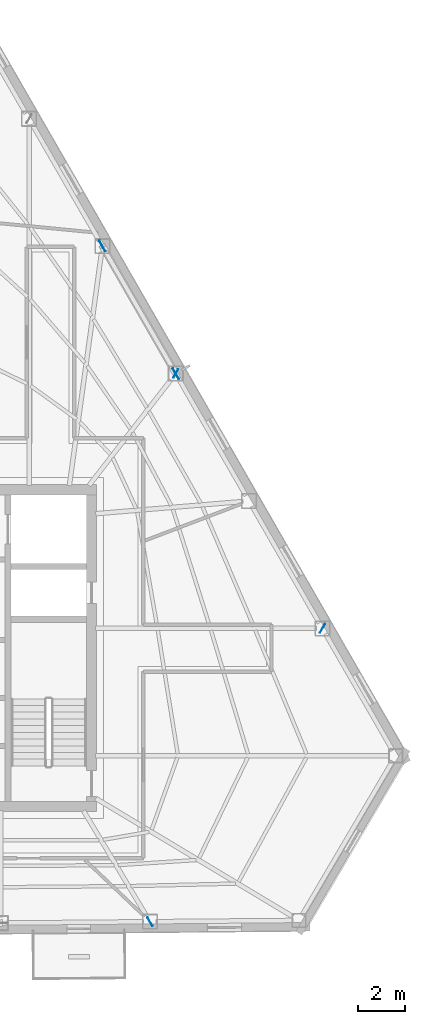
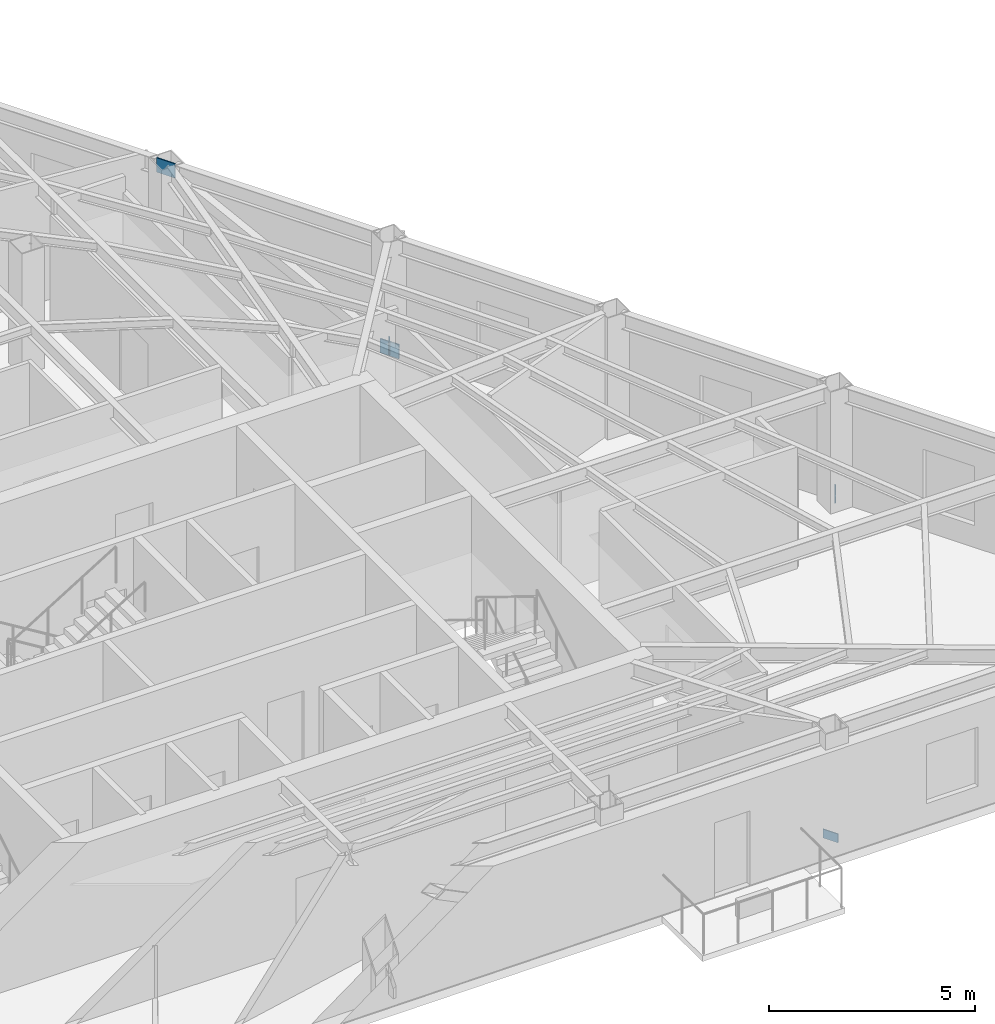
# One storey, part 6 of 14: 5 plates.
"""IFC4 building model written with IfcOpenShell, lengths in metres."""

from ifc_helpers import new_model, si_unit, direction, frame, origin, origin_2d, place, context, subcontext, project, spatial, rectangle, extrude, material, layer, layer_set, type_object, element, save


model = new_model("IFC4")

# Units and contexts
model_context = context("Model", 3, precision=1e-05, world=origin(), true_north=direction((0.0, 1.0)))
body_context = subcontext(model_context, "Body", "Model", "MODEL_VIEW")
ifc_project = project(units=[si_unit("LENGTHUNIT", "METRE"), si_unit("AREAUNIT", "SQUARE_METRE"), si_unit("VOLUMEUNIT", "CUBIC_METRE"), si_unit("PLANEANGLEUNIT", "RADIAN"), si_unit("MASSUNIT", "GRAM", prefix="KILO")], contexts=[model_context])

# Site, building, storey
site_placement = place(None, origin())
site = spatial("IfcSite", under=ifc_project, at=site_placement, CompositionType="ELEMENT")
building_placement = place(site_placement, origin())
building = spatial("IfcBuilding", under=site, at=building_placement, Name="Kavelnor Concourse Tower", CompositionType="ELEMENT")
storey_placement = place(building_placement, frame((0.0, 0.0, 215.050048828125)))
storey = spatial("IfcBuildingStorey", under=building, at=storey_placement, Name="L54", CompositionType="ELEMENT", Elevation=215.050048828125)

# Plates
ifc_material = material(Name="Steel Grade 350", Category="steel")
ifc_layer_1 = layer(ifc_material, 0.031982421875, Name="Steel Grade 350")
ifc_layer_set_1 = layer_set([ifc_layer_1], Name="Steel Grade 350")
plate_type_1 = type_object("IfcPlateType", Name="PL-GUSSET-TUBE-Z1", PredefinedType="USERDEFINED", material=ifc_layer_set_1)
for number, where, z_axis, x_axis, name in (
    (1, (51.3232421875, 27.74951171875, 0.010009765625), (0.0, 0.0, 1.0), (-0.498941577478, 0.866635622545, 0.0), "L54 Tube Brace Gusset GP3 F2-B3 End Gusset A"),
    (2, (48.197265625, 33.179931640625, 3.159912109375), (0.0, 0.0, 1.0), (-0.498941577478, 0.866635622545, 0.0), "L54 Tube Brace Gusset GP3 F2-B3 End Gusset B"),
):
    element("IfcPlate", number, at=place(storey_placement, frame(where, z_axis=z_axis, x_axis=x_axis)), inside=storey, type_object=plate_type_1, Name=name, ObjectType="GUSSET_PLATE", PredefinedType="USERDEFINED", context=body_context, shape_type="SweptSolid", body=[
        extrude(rectangle(XDim=0.52001953125, YDim=0.031982421875, at=origin_2d()), origin(), (0.0, 0.0, 1.0), 0.419921875),
    ])
ifc_layer_2 = layer(ifc_material, 0.02490234375, Name="Steel Grade 350")
ifc_layer_set_2 = layer_set([ifc_layer_2], Name="Steel Grade 350")
plate_type_2 = type_object("IfcPlateType", Name="PL-SPLICE-FLANGE", PredefinedType="SHEET", material=ifc_layer_set_2)
for number, where, z_axis, x_axis, name in (
    (3, (50.223876953125, 4.4853515625, 0.169921875), (0.0, 0.0, 1.0), (-0.5, 0.866025403784, 0.0), "L54 Column Flange Splice Plate F1-B5"),
    (4, (57.54541015625, 16.93994140625, 0.169921875), (0.0, 0.0, 1.0), (-0.5, -0.866025403784, 0.0), "L54 Column Flange Splice Plate F2-B1"),
    (5, (51.3173828125, 27.759765625, 0.169921875), (0.0, 0.0, 1.0), (-0.5, -0.866025403784, 0.0), "L54 Column Flange Splice Plate F2-B3"),
):
    element("IfcPlate", number, at=place(storey_placement, frame(where, z_axis=z_axis, x_axis=x_axis)), inside=storey, type_object=plate_type_2, Name=name, PredefinedType="SHEET", context=body_context, shape_type="SweptSolid", body=[
        extrude(rectangle(XDim=0.419921875, YDim=0.02490234375, at=origin_2d()), origin(), (0.0, 0.0, 1.0), 0.260009765625),
    ])

save(model, "model.ifc")
